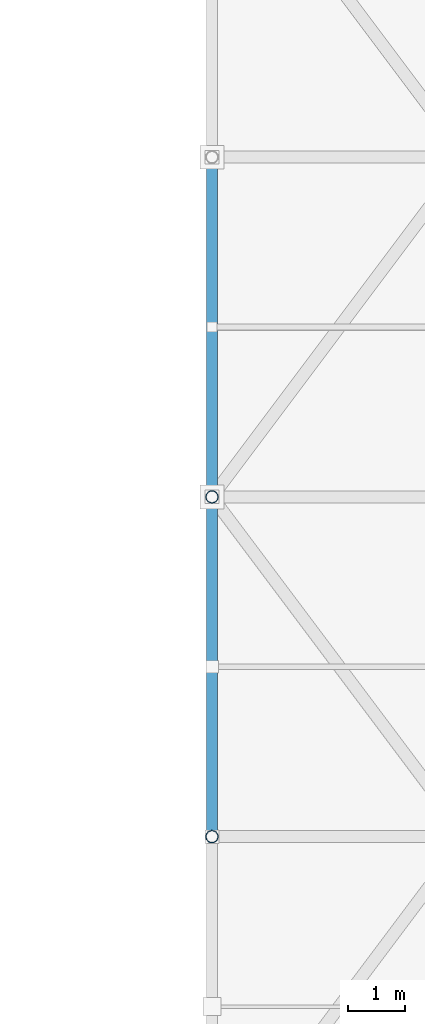
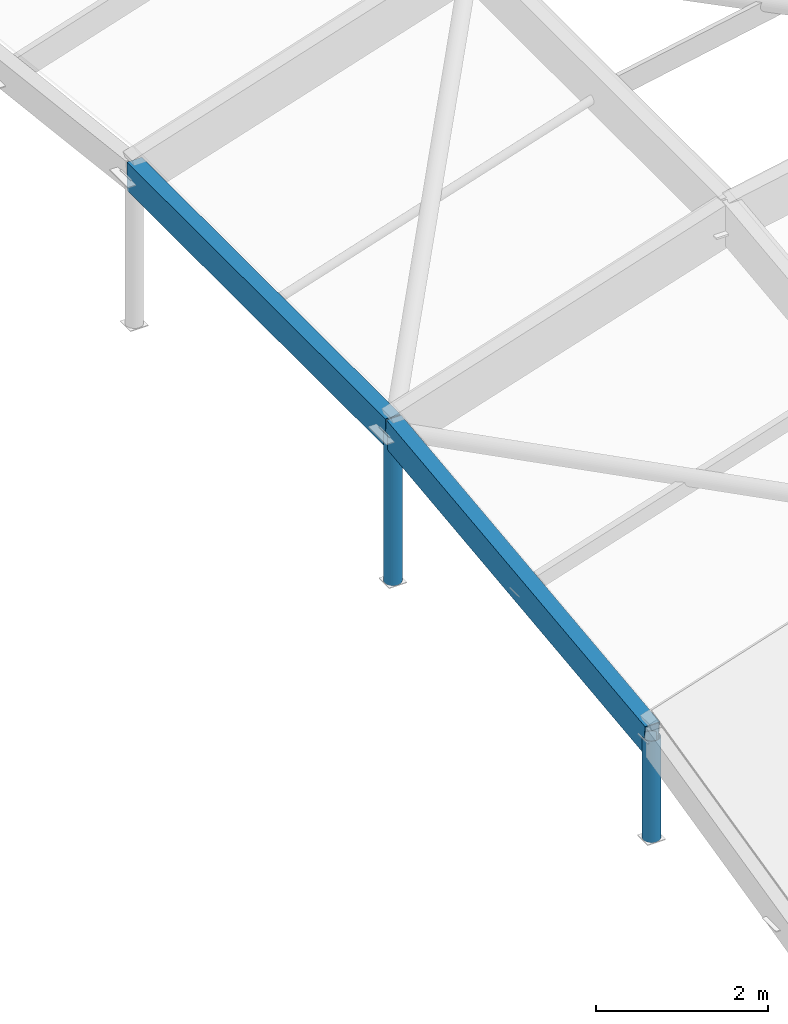
# One storey, part 7 of 81: 4 members.
"""IFC4 building model written with IfcOpenShell, lengths in metres."""

from ifc_helpers import new_model, si_unit, direction, frame, origin, origin_2d, place, context, subcontext, project, spatial, hollow_rectangle, hollow_circle, extrude, material, material_profile, profile_set, type_object, element, save


model = new_model("IFC4")

# Units and contexts
model_context = context("Model", 3, precision=1e-05, world=origin(), true_north=direction((0.0, 1.0)))
body_context = subcontext(model_context, "Body", "Model", "MODEL_VIEW")
ifc_project = project(units=[si_unit("LENGTHUNIT", "METRE"), si_unit("AREAUNIT", "SQUARE_METRE"), si_unit("VOLUMEUNIT", "CUBIC_METRE"), si_unit("PLANEANGLEUNIT", "RADIAN"), si_unit("MASSUNIT", "GRAM", prefix="KILO")], contexts=[model_context])

# Site, building, storey
site_placement = place(None, origin())
site = spatial("IfcSite", under=ifc_project, at=site_placement, CompositionType="ELEMENT")
building_placement = place(site_placement, origin())
building = spatial("IfcBuilding", under=site, at=building_placement, Name="Marnridge Secondary College", CompositionType="ELEMENT")
storey_placement = place(building_placement, frame((0.0, 0.0, 8.5)))
storey = spatial("IfcBuildingStorey", under=building, at=storey_placement, Name="L02", CompositionType="ELEMENT", Elevation=8.5)

# Members
ifc_material_1 = material(Name="Cold-formed steel Grade C350L0 (AS/NZS 1163, fy = 350 MPa)", Category="steel")
ifc_material_profile_1 = material_profile(ifc_material_1, hollow_circle(Radius=0.109619140625, WallThickness=0.00830078125, at=origin_2d()), Name="219.1x8.2CHS")
ifc_profile_set_1 = profile_set([ifc_material_profile_1], Name="Cold-formed steel Grade C350L0 (AS/NZS 1163, fy = 350 MPa)")
member_type_1 = type_object("IfcMemberType", Name="MB-GS-CHS219", PredefinedType="BRACE", material=ifc_profile_set_1)
member_1_placement = place(storey_placement, frame((63.0, 6.0, -0.010009765625), z_axis=(0.0, 0.0, 1.0), x_axis=(1.0, 0.0, 0.0)))
element("IfcMember", 1, at=member_1_placement, inside=storey, type_object=member_type_1, Name="Gridshell boundary post GSP-0065", PredefinedType="BRACE", context=body_context, shape_type="SweptSolid", body=[
    extrude(hollow_circle(Radius=0.109619140625, WallThickness=0.00830078125, at=origin_2d()), origin(), (0.0, 0.0, 1.0), 1.43798828125),
])
member_2_placement = place(storey_placement, frame((63.0, 12.0, -0.010009765625), z_axis=(0.0, 0.0, 1.0), x_axis=(1.0, 0.0, 0.0)))
element("IfcMember", 2, at=member_2_placement, inside=storey, type_object=member_type_1, Name="Gridshell boundary post GSP-0066", PredefinedType="BRACE", context=body_context, shape_type="SweptSolid", body=[
    extrude(hollow_circle(Radius=0.109619140625, WallThickness=0.00830078125, at=origin_2d()), origin(), (0.0, 0.0, 1.0), 2.14208984375),
])
ifc_material_2 = material(Name="Cold-formed steel Grade C350L0 (AS/NZS 1163, fy = 350 MPa)", Category="steel")
ifc_material_profile_2 = material_profile(ifc_material_2, hollow_rectangle(XDim=0.199951171875, YDim=0.39990234375, WallThickness=0.010009765625, at=origin_2d()), Name="400x200x10.0RHS")
ifc_profile_set_2 = profile_set([ifc_material_profile_2], Name="Cold-formed steel Grade C350L0 (AS/NZS 1163, fy = 350 MPa)")
member_type_2 = type_object("IfcMemberType", Name="MB-GS-RHS400", PredefinedType="CHORD", material=ifc_profile_set_2)
member_3_placement = place(storey_placement, frame((63.0, 6.0, 1.407958984375), z_axis=(0.0, 0.993184767812, 0.116550491145), x_axis=(-1.0, 0.0, 0.0)))
element("IfcMember", 3, at=member_3_placement, inside=storey, type_object=member_type_2, Name="Gridshell member GR-0141", PredefinedType="CHORD", context=body_context, shape_type="SweptSolid", body=[
    extrude(hollow_rectangle(XDim=0.199951171875, YDim=0.39990234375, WallThickness=0.010009765625, at=origin_2d()), origin(), (0.0, 0.0, 1.0), 6.041259765625),
])
member_4_placement = place(storey_placement, frame((63.0, 12.0, 2.112060546875), z_axis=(0.0, 1.0, 0.0), x_axis=(-1.0, 0.0, 0.0)))
element("IfcMember", 4, at=member_4_placement, inside=storey, type_object=member_type_2, Name="Gridshell member GR-0142", PredefinedType="CHORD", context=body_context, shape_type="SweptSolid", body=[
    extrude(hollow_rectangle(XDim=0.199951171875, YDim=0.39990234375, WallThickness=0.010009765625, at=origin_2d()), origin(), (0.0, 0.0, 1.0), 6.0),
])

save(model, "model.ifc")
